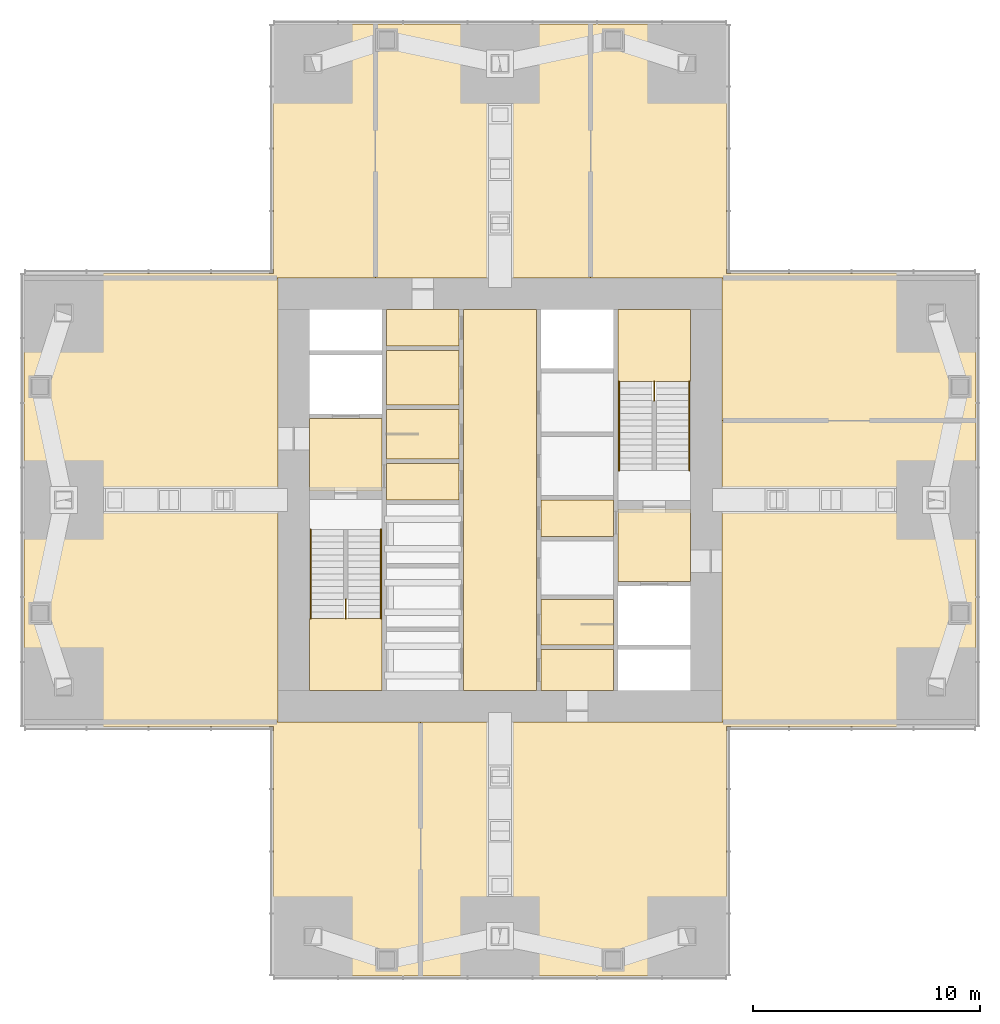
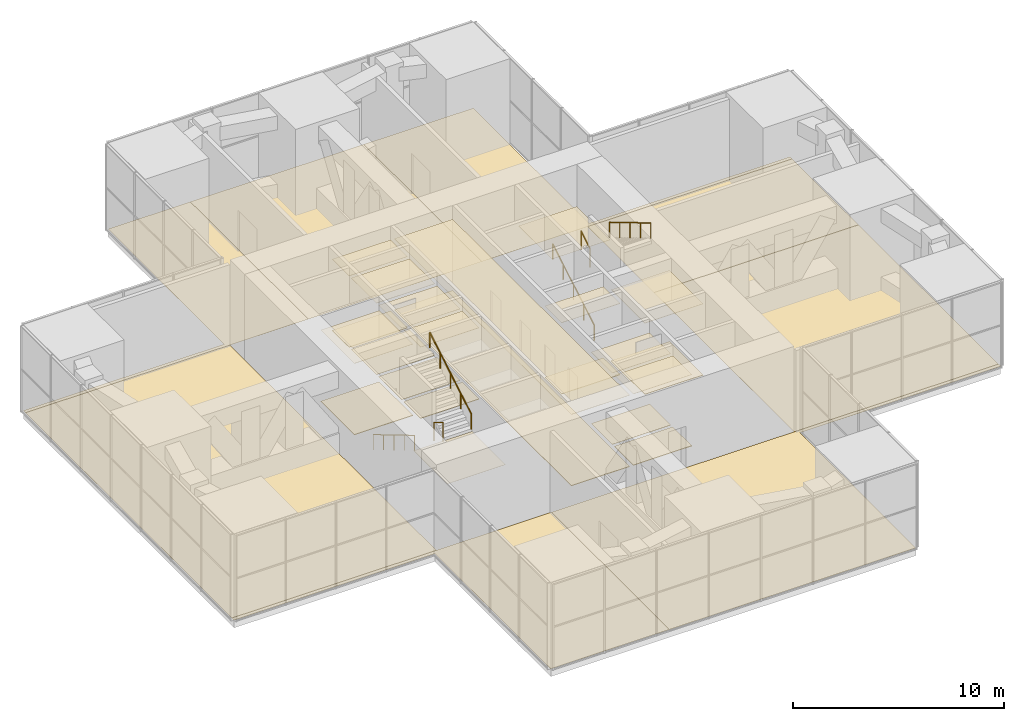
# One storey, part 12 of 12: 30 coverings, 6 railings.
"""IFC4 building model written with IfcOpenShell, lengths in metres."""

from ifc_helpers import new_model, si_unit, direction, frame, origin, origin_2d, place, context, subcontext, project, spatial, polyline, circle, outline, extrude, material, layer, layer_set, type_object, element, save


model = new_model("IFC4")

# Units and contexts
model_context = context("Model", 3, precision=1e-05, world=origin(), true_north=direction((0.0, 1.0)))
body_context = subcontext(model_context, "Body", "Model", "MODEL_VIEW")
ifc_project = project(units=[si_unit("LENGTHUNIT", "METRE"), si_unit("AREAUNIT", "SQUARE_METRE"), si_unit("VOLUMEUNIT", "CUBIC_METRE"), si_unit("PLANEANGLEUNIT", "RADIAN"), si_unit("MASSUNIT", "GRAM", prefix="KILO")], contexts=[model_context])

# Site, building, storey
site_placement = place(None, origin())
site = spatial("IfcSite", under=ifc_project, at=site_placement, CompositionType="ELEMENT")
building_placement = place(site_placement, origin())
building = spatial("IfcBuilding", under=site, at=building_placement, Name="Svetlomir Tower", CompositionType="ELEMENT")
storey_placement = place(building_placement, frame((0.0, 0.0, 234.5)))
storey = spatial("IfcBuildingStorey", under=building, at=storey_placement, Name="L56", CompositionType="ELEMENT", Elevation=234.5)

# Coverings
ifc_material_1 = material(Name="Ceramic floor tile", Category="ceramic")
ifc_layer_1 = layer(ifc_material_1, 0.014892578125)
ifc_layer_set_1 = layer_set([ifc_layer_1], Name="Ceramic floor tile")
covering_type_1 = type_object("IfcCoveringType", Name="CERAMIC TILE FLOOR 15", PredefinedType="FLOORING", material=ifc_layer_set_1)
covering_1_placement = place(storey_placement, origin())
element("IfcCovering", 1, at=covering_1_placement, inside=storey, type_object=covering_type_1, Name="Floor finish L56-04", PredefinedType="FLOORING", context=body_context, shape_type="SweptSolid", body=[
    extrude(outline(polyline([(16.0, 22.800048828125), (19.199951171875, 22.800048828125), (19.199951171875, 25.0), (16.0, 25.0), (16.0, 22.800048828125)])), origin(), (0.0, 0.0, 1.0), 0.014892578125),
])
covering_2_placement = place(storey_placement, origin())
element("IfcCovering", 2, at=covering_2_placement, inside=storey, type_object=covering_type_1, Name="Floor finish L56-05", PredefinedType="FLOORING", context=body_context, shape_type="SweptSolid", body=[
    extrude(outline(polyline([(16.0, 25.199951171875), (19.199951171875, 25.199951171875), (19.199951171875, 27.60009765625), (16.0, 27.60009765625), (16.0, 25.199951171875)])), origin(), (0.0, 0.0, 1.0), 0.014892578125),
])
covering_3_placement = place(storey_placement, origin())
element("IfcCovering", 3, at=covering_3_placement, inside=storey, type_object=covering_type_1, Name="Floor finish L56-09", PredefinedType="FLOORING", context=body_context, shape_type="SweptSolid", body=[
    extrude(outline(polyline([(22.800048828125, 14.60009765625), (26.0, 14.60009765625), (26.0, 16.60009765625), (22.800048828125, 16.60009765625), (22.800048828125, 14.60009765625)])), origin(), (0.0, 0.0, 1.0), 0.014892578125),
])
ifc_material_2 = material(Name="Epoxy resin floor coating", Category="resin")
ifc_layer_2 = layer(ifc_material_2, 0.0048828125)
ifc_layer_set_2 = layer_set([ifc_layer_2], Name="Epoxy resin floor coating")
covering_type_2 = type_object("IfcCoveringType", Name="EPOXY FLOOR 5", PredefinedType="FLOORING", material=ifc_layer_set_2)
covering_4_placement = place(storey_placement, origin())
element("IfcCovering", 4, at=covering_4_placement, inside=storey, type_object=covering_type_2, Name="Floor finish L56-16", PredefinedType="FLOORING", context=body_context, shape_type="SweptSolid", body=[
    extrude(outline(polyline([(11.0, 0.0), (11.0, 11.0), (0.0, 11.0), (0.0, 11.199951171875), (17.5, 11.199951171875), (17.5, 0.0), (11.0, 0.0)])), origin(), (0.0, 0.0, 1.0), 0.0048828125),
])
covering_5_placement = place(storey_placement, origin())
element("IfcCovering", 5, at=covering_5_placement, inside=storey, type_object=covering_type_2, Name="Floor finish L56-17", PredefinedType="FLOORING", context=body_context, shape_type="SweptSolid", body=[
    extrude(outline(polyline([(31.0, 0.0), (17.5, 0.0), (17.5, 11.199951171875), (42.0, 11.199951171875), (42.0, 11.0), (31.0, 11.0), (31.0, 0.0)])), origin(), (0.0, 0.0, 1.0), 0.0048828125),
])
covering_6_placement = place(storey_placement, origin())
element("IfcCovering", 6, at=covering_6_placement, inside=storey, type_object=covering_type_2, Name="Floor finish L56-18", PredefinedType="FLOORING", context=body_context, shape_type="SweptSolid", body=[
    extrude(outline(polyline([(11.0, 42.0), (15.5, 42.0), (15.5, 30.800048828125), (0.0, 30.800048828125), (0.0, 31.0), (11.0, 31.0), (11.0, 42.0)])), origin(), (0.0, 0.0, 1.0), 0.0048828125),
])
covering_7_placement = place(storey_placement, origin())
element("IfcCovering", 7, at=covering_7_placement, inside=storey, type_object=covering_type_2, Name="Floor finish L56-19", PredefinedType="FLOORING", context=body_context, shape_type="SweptSolid", body=[
    extrude(outline(polyline([(25.0, 42.0), (25.0, 30.800048828125), (15.5, 30.800048828125), (15.5, 42.0), (25.0, 42.0)])), origin(), (0.0, 0.0, 1.0), 0.0048828125),
])
covering_8_placement = place(storey_placement, origin())
element("IfcCovering", 8, at=covering_8_placement, inside=storey, type_object=covering_type_2, Name="Floor finish L56-20", PredefinedType="FLOORING", context=body_context, shape_type="SweptSolid", body=[
    extrude(outline(polyline([(31.0, 42.0), (31.0, 31.0), (42.0, 31.0), (42.0, 30.800048828125), (25.0, 30.800048828125), (25.0, 42.0), (31.0, 42.0)])), origin(), (0.0, 0.0, 1.0), 0.0048828125),
])
covering_9_placement = place(storey_placement, origin())
element("IfcCovering", 9, at=covering_9_placement, inside=storey, type_object=covering_type_2, Name="Floor finish L56-21", PredefinedType="FLOORING", context=body_context, shape_type="SweptSolid", body=[
    extrude(outline(polyline([(11.199951171875, 30.800048828125), (11.199951171875, 11.199951171875), (0.0, 11.199951171875), (0.0, 30.800048828125), (11.199951171875, 30.800048828125)])), origin(), (0.0, 0.0, 1.0), 0.0048828125),
])
covering_10_placement = place(storey_placement, origin())
element("IfcCovering", 10, at=covering_10_placement, inside=storey, type_object=covering_type_2, Name="Floor finish L56-22", PredefinedType="FLOORING", context=body_context, shape_type="SweptSolid", body=[
    extrude(outline(polyline([(30.800048828125, 24.5), (42.0, 24.5), (42.0, 11.199951171875), (30.800048828125, 11.199951171875), (30.800048828125, 24.5)])), origin(), (0.0, 0.0, 1.0), 0.0048828125),
])
covering_11_placement = place(storey_placement, origin())
element("IfcCovering", 11, at=covering_11_placement, inside=storey, type_object=covering_type_2, Name="Floor finish L56-23", PredefinedType="FLOORING", context=body_context, shape_type="SweptSolid", body=[
    extrude(outline(polyline([(30.800048828125, 30.800048828125), (42.0, 30.800048828125), (42.0, 24.5), (30.800048828125, 24.5), (30.800048828125, 30.800048828125)])), origin(), (0.0, 0.0, 1.0), 0.0048828125),
])

# Railings
ifc_material_3 = material(Name="Stainless steel", Category="steel")
railing_type_1 = type_object("IfcRailingType", Name="HANDRAIL HR1 900", PredefinedType="HANDRAIL", material=ifc_material_3)
railing_1_placement = place(storey_placement, frame((12.64990234375, 19.699951171875, 0.166748046875)))
element("IfcRailing", 12, at=railing_1_placement, inside=storey, type_object=railing_type_1, Name="Handrail S1 flight 1 L56", PredefinedType="HANDRAIL", context=body_context, shape_type="SweptSolid", body=[
    extrude(circle(Radius=0.02392578125, at=origin_2d()), frame((0.0, 0.0, 0.8759765625), z_axis=(0.0, -0.859296244711, 0.511478214419), x_axis=(1.0, 0.0, 0.0)), (0.0, 0.0, 1.0), 4.561767578125),
    extrude(circle(Radius=0.02099609375, at=origin_2d()), origin(), (0.0, 0.0, 1.0), 0.851806640625),
    extrude(circle(Radius=0.02099609375, at=origin_2d()), frame((0.0, -0.97998046875, 0.583251953125)), (0.0, 0.0, 1.0), 0.851806640625),
    extrude(circle(Radius=0.02099609375, at=origin_2d()), frame((0.0, -1.9599609375, 1.16650390625)), (0.0, 0.0, 1.0), 0.851806640625),
    extrude(circle(Radius=0.02099609375, at=origin_2d()), frame((0.0, -2.93994140625, 1.75)), (0.0, 0.0, 1.0), 0.851806640625),
    extrude(circle(Radius=0.02099609375, at=origin_2d()), frame((0.0, -3.919921875, 2.333251953125)), (0.0, 0.0, 1.0), 0.851806640625),
])
for number, where, name in (
    (13, (15.75, 15.780029296875, 2.666748046875), "Handrail S1 flight 2 L56"),
    (14, (26.25, 22.300048828125, 0.166748046875), "Handrail S2 flight 1 L56"),
):
    element("IfcRailing", number, at=place(storey_placement, frame(where)), inside=storey, type_object=railing_type_1, Name=name, PredefinedType="HANDRAIL", context=body_context, shape_type="SweptSolid", body=[
        extrude(circle(Radius=0.02392578125, at=origin_2d()), frame((0.0, 0.0, 0.8759765625), z_axis=(0.0, 0.859296244711, 0.511478214419), x_axis=(-1.0, 0.0, 0.0)), (0.0, 0.0, 1.0), 4.561767578125),
        extrude(circle(Radius=0.02099609375, at=origin_2d()), origin(), (0.0, 0.0, 1.0), 0.851806640625),
        extrude(circle(Radius=0.02099609375, at=origin_2d()), frame((0.0, 0.97998046875, 0.583251953125)), (0.0, 0.0, 1.0), 0.851806640625),
        extrude(circle(Radius=0.02099609375, at=origin_2d()), frame((0.0, 1.9599609375, 1.16650390625)), (0.0, 0.0, 1.0), 0.851806640625),
        extrude(circle(Radius=0.02099609375, at=origin_2d()), frame((0.0, 2.93994140625, 1.75)), (0.0, 0.0, 1.0), 0.851806640625),
        extrude(circle(Radius=0.02099609375, at=origin_2d()), frame((0.0, 3.919921875, 2.333251953125)), (0.0, 0.0, 1.0), 0.851806640625),
    ])
railing_2_placement = place(storey_placement, frame((29.35009765625, 26.219970703125, 2.666748046875)))
element("IfcRailing", 15, at=railing_2_placement, inside=storey, type_object=railing_type_1, Name="Handrail S2 flight 2 L56", PredefinedType="HANDRAIL", context=body_context, shape_type="SweptSolid", body=[
    extrude(circle(Radius=0.02392578125, at=origin_2d()), frame((0.0, 0.0, 0.8759765625), z_axis=(0.0, -0.859296244711, 0.511478214419), x_axis=(1.0, 0.0, 0.0)), (0.0, 0.0, 1.0), 4.561767578125),
    extrude(circle(Radius=0.02099609375, at=origin_2d()), origin(), (0.0, 0.0, 1.0), 0.851806640625),
    extrude(circle(Radius=0.02099609375, at=origin_2d()), frame((0.0, -0.97998046875, 0.583251953125)), (0.0, 0.0, 1.0), 0.851806640625),
    extrude(circle(Radius=0.02099609375, at=origin_2d()), frame((0.0, -1.9599609375, 1.16650390625)), (0.0, 0.0, 1.0), 0.851806640625),
    extrude(circle(Radius=0.02099609375, at=origin_2d()), frame((0.0, -2.93994140625, 1.75)), (0.0, 0.0, 1.0), 0.851806640625),
    extrude(circle(Radius=0.02099609375, at=origin_2d()), frame((0.0, -3.919921875, 2.333251953125)), (0.0, 0.0, 1.0), 0.851806640625),
])

# Coverings
ifc_material_4 = material(Name="Moisture resistant plasterboard ceiling", Category="gypsum")
ifc_layer_3 = layer(ifc_material_4, 0.012451171875)
ifc_layer_set_3 = layer_set([ifc_layer_3], Name="Moisture resistant plasterboard ceiling")
covering_type_3 = type_object("IfcCoveringType", Name="MOISTURE RESISTANT CEILING 12.5", PredefinedType="CEILING", material=ifc_layer_set_3)
covering_12_placement = place(storey_placement, frame((0.0, 0.0, 4.137451171875)))
element("IfcCovering", 16, at=covering_12_placement, inside=storey, type_object=covering_type_3, Name="Ceiling L56-04", PredefinedType="CEILING", context=body_context, shape_type="SweptSolid", body=[
    extrude(outline(polyline([(16.0, 22.800048828125), (19.199951171875, 22.800048828125), (19.199951171875, 25.0), (16.0, 25.0), (16.0, 22.800048828125)])), origin(), (0.0, 0.0, 1.0), 0.012451171875),
])
covering_13_placement = place(storey_placement, frame((0.0, 0.0, 4.137451171875)))
element("IfcCovering", 17, at=covering_13_placement, inside=storey, type_object=covering_type_3, Name="Ceiling L56-05", PredefinedType="CEILING", context=body_context, shape_type="SweptSolid", body=[
    extrude(outline(polyline([(16.0, 25.199951171875), (19.199951171875, 25.199951171875), (19.199951171875, 27.60009765625), (16.0, 27.60009765625), (16.0, 25.199951171875)])), origin(), (0.0, 0.0, 1.0), 0.012451171875),
])
covering_14_placement = place(storey_placement, frame((0.0, 0.0, 4.137451171875)))
element("IfcCovering", 18, at=covering_14_placement, inside=storey, type_object=covering_type_3, Name="Ceiling L56-09", PredefinedType="CEILING", context=body_context, shape_type="SweptSolid", body=[
    extrude(outline(polyline([(22.800048828125, 14.60009765625), (26.0, 14.60009765625), (26.0, 16.60009765625), (22.800048828125, 16.60009765625), (22.800048828125, 14.60009765625)])), origin(), (0.0, 0.0, 1.0), 0.012451171875),
])
ifc_material_5 = material(Name="Gypsum plasterboard ceiling", Category="gypsum")
ifc_layer_4 = layer(ifc_material_5, 0.014892578125)
ifc_layer_set_4 = layer_set([ifc_layer_4], Name="Gypsum plasterboard ceiling")
covering_type_4 = type_object("IfcCoveringType", Name="PLASTERBOARD CEILING 15", PredefinedType="CEILING", material=ifc_layer_set_4)
covering_15_placement = place(storey_placement, frame((0.0, 0.0, 4.135009765625)))
element("IfcCovering", 19, at=covering_15_placement, inside=storey, type_object=covering_type_4, Name="Ceiling L56-02", PredefinedType="CEILING", context=body_context, shape_type="SweptSolid", body=[
    extrude(outline(polyline([(12.60009765625, 21.39990234375), (15.800048828125, 21.39990234375), (15.800048828125, 24.60009765625), (12.60009765625, 24.60009765625), (12.60009765625, 21.39990234375)])), origin(), (0.0, 0.0, 1.0), 0.014892578125),
])
covering_16_placement = place(storey_placement, frame((0.0, 0.0, 4.135009765625)))
element("IfcCovering", 20, at=covering_16_placement, inside=storey, type_object=covering_type_4, Name="Ceiling L56-03", PredefinedType="CEILING", context=body_context, shape_type="SweptSolid", body=[
    extrude(outline(polyline([(16.0, 21.0), (19.199951171875, 21.0), (19.199951171875, 22.60009765625), (16.0, 22.60009765625), (16.0, 21.0)])), origin(), (0.0, 0.0, 1.0), 0.014892578125),
])
covering_17_placement = place(storey_placement, frame((0.0, 0.0, 4.135009765625)))
element("IfcCovering", 21, at=covering_17_placement, inside=storey, type_object=covering_type_4, Name="Ceiling L56-06", PredefinedType="CEILING", context=body_context, shape_type="SweptSolid", body=[
    extrude(outline(polyline([(16.0, 27.800048828125), (19.199951171875, 27.800048828125), (19.199951171875, 29.39990234375), (16.0, 29.39990234375), (16.0, 27.800048828125)])), origin(), (0.0, 0.0, 1.0), 0.014892578125),
])
covering_18_placement = place(storey_placement, frame((0.0, 0.0, 4.135009765625)))
element("IfcCovering", 22, at=covering_18_placement, inside=storey, type_object=covering_type_4, Name="Ceiling L56-07", PredefinedType="CEILING", context=body_context, shape_type="SweptSolid", body=[
    extrude(outline(polyline([(19.39990234375, 12.60009765625), (22.60009765625, 12.60009765625), (22.60009765625, 29.39990234375), (19.39990234375, 29.39990234375), (19.39990234375, 12.60009765625)])), origin(), (0.0, 0.0, 1.0), 0.014892578125),
])
covering_19_placement = place(storey_placement, frame((0.0, 0.0, 4.135009765625)))
element("IfcCovering", 23, at=covering_19_placement, inside=storey, type_object=covering_type_4, Name="Ceiling L56-08", PredefinedType="CEILING", context=body_context, shape_type="SweptSolid", body=[
    extrude(outline(polyline([(22.800048828125, 12.60009765625), (26.0, 12.60009765625), (26.0, 14.39990234375), (22.800048828125, 14.39990234375), (22.800048828125, 12.60009765625)])), origin(), (0.0, 0.0, 1.0), 0.014892578125),
])
covering_20_placement = place(storey_placement, frame((0.0, 0.0, 4.135009765625)))
element("IfcCovering", 24, at=covering_20_placement, inside=storey, type_object=covering_type_4, Name="Ceiling L56-11", PredefinedType="CEILING", context=body_context, shape_type="SweptSolid", body=[
    extrude(outline(polyline([(22.800048828125, 19.39990234375), (26.0, 19.39990234375), (26.0, 21.0), (22.800048828125, 21.0), (22.800048828125, 19.39990234375)])), origin(), (0.0, 0.0, 1.0), 0.014892578125),
])
covering_21_placement = place(storey_placement, frame((0.0, 0.0, 4.135009765625)))
element("IfcCovering", 25, at=covering_21_placement, inside=storey, type_object=covering_type_4, Name="Ceiling L56-12", PredefinedType="CEILING", context=body_context, shape_type="SweptSolid", body=[
    extrude(outline(polyline([(26.199951171875, 17.39990234375), (29.39990234375, 17.39990234375), (29.39990234375, 20.60009765625), (26.199951171875, 20.60009765625), (26.199951171875, 17.39990234375)])), origin(), (0.0, 0.0, 1.0), 0.014892578125),
])
ifc_material_6 = material(Name="Studded rubber floor finish", Category="rubber")
ifc_layer_5 = layer(ifc_material_6, 0.006103515625)
ifc_layer_set_5 = layer_set([ifc_layer_5], Name="Studded rubber floor finish")
covering_type_5 = type_object("IfcCoveringType", Name="RUBBER LANDING FINISH 6", PredefinedType="FLOORING", material=ifc_layer_set_5)
covering_22_placement = place(storey_placement, frame((0.0, 0.0, 2.5)))
element("IfcCovering", 26, at=covering_22_placement, inside=storey, type_object=covering_type_5, Name="Stair S1 landing finish L56", PredefinedType="FLOORING", context=body_context, shape_type="SweptSolid", body=[
    extrude(outline(polyline([(12.60009765625, 12.60009765625), (15.800048828125, 12.60009765625), (15.800048828125, 15.780029296875), (12.60009765625, 15.780029296875), (12.60009765625, 12.60009765625)])), origin(), (0.0, 0.0, 1.0), 0.006103515625),
])
covering_23_placement = place(storey_placement, frame((0.0, 0.0, 2.5)))
element("IfcCovering", 27, at=covering_23_placement, inside=storey, type_object=covering_type_5, Name="Stair S2 landing finish L56", PredefinedType="FLOORING", context=body_context, shape_type="SweptSolid", body=[
    extrude(outline(polyline([(26.199951171875, 26.219970703125), (29.39990234375, 26.219970703125), (29.39990234375, 29.39990234375), (26.199951171875, 29.39990234375), (26.199951171875, 26.219970703125)])), origin(), (0.0, 0.0, 1.0), 0.006103515625),
])

# Railings
ifc_material_7 = material(Name="Painted steel balustrade", Category="steel")
railing_type_2 = type_object("IfcRailingType", Name="STAIR WELL GUARD GR3 1100", PredefinedType="GUARDRAIL", material=ifc_material_7)
railing_3_placement = place(storey_placement, frame((14.199951171875, 15.780029296875, 2.5)))
element("IfcRailing", 28, at=railing_3_placement, inside=storey, type_object=railing_type_2, Name="Stair S1 well guard L56", PredefinedType="GUARDRAIL", context=body_context, shape_type="SweptSolid", body=[
    extrude(circle(Radius=0.02392578125, at=origin_2d()), frame((0.0, 0.0, 1.076171875), z_axis=(0.0, 0.859316403365, -0.511444345856), x_axis=(-1.0, 0.0, 0.0)), (0.0, 0.0, 1.0), 0.9775390625),
    extrude(circle(Radius=0.02099609375, at=origin_2d()), origin(), (0.0, 0.0, 1.0), 1.052001953125),
    extrude(circle(Radius=0.02099609375, at=origin_2d()), frame((0.0, 0.840087890625, -0.5)), (0.0, 0.0, 1.0), 1.052001953125),
])
railing_4_placement = place(storey_placement, frame((27.800048828125, 25.3798828125, 2.0)))
element("IfcRailing", 29, at=railing_4_placement, inside=storey, type_object=railing_type_2, Name="Stair S2 well guard L56", PredefinedType="GUARDRAIL", context=body_context, shape_type="SweptSolid", body=[
    extrude(circle(Radius=0.02392578125, at=origin_2d()), frame((0.0, 0.0, 1.076171875), z_axis=(0.0, 0.859316403365, 0.511444345856), x_axis=(-1.0, 0.0, 0.0)), (0.0, 0.0, 1.0), 0.9775390625),
    extrude(circle(Radius=0.02099609375, at=origin_2d()), origin(), (0.0, 0.0, 1.0), 1.052001953125),
    extrude(circle(Radius=0.02099609375, at=origin_2d()), frame((0.0, 0.840087890625, 0.5)), (0.0, 0.0, 1.0), 1.052001953125),
])

# Coverings
ifc_material_8 = material(Name="Bronze-aggregate terrazzo", Category="stone")
ifc_layer_6 = layer(ifc_material_8, 0.030029296875)
ifc_layer_set_6 = layer_set([ifc_layer_6], Name="Bronze-aggregate terrazzo")
covering_type_6 = type_object("IfcCoveringType", Name="TERRAZZO FLOOR 30", PredefinedType="FLOORING", material=ifc_layer_set_6)
covering_24_placement = place(storey_placement, origin())
element("IfcCovering", 30, at=covering_24_placement, inside=storey, type_object=covering_type_6, Name="Floor finish L56-02", PredefinedType="FLOORING", context=body_context, shape_type="SweptSolid", body=[
    extrude(outline(polyline([(12.60009765625, 21.39990234375), (15.800048828125, 21.39990234375), (15.800048828125, 24.60009765625), (12.60009765625, 24.60009765625), (12.60009765625, 21.39990234375)])), origin(), (0.0, 0.0, 1.0), 0.030029296875),
])
covering_25_placement = place(storey_placement, origin())
element("IfcCovering", 31, at=covering_25_placement, inside=storey, type_object=covering_type_6, Name="Floor finish L56-03", PredefinedType="FLOORING", context=body_context, shape_type="SweptSolid", body=[
    extrude(outline(polyline([(16.0, 21.0), (19.199951171875, 21.0), (19.199951171875, 22.60009765625), (16.0, 22.60009765625), (16.0, 21.0)])), origin(), (0.0, 0.0, 1.0), 0.030029296875),
])
covering_26_placement = place(storey_placement, origin())
element("IfcCovering", 32, at=covering_26_placement, inside=storey, type_object=covering_type_6, Name="Floor finish L56-06", PredefinedType="FLOORING", context=body_context, shape_type="SweptSolid", body=[
    extrude(outline(polyline([(16.0, 27.800048828125), (19.199951171875, 27.800048828125), (19.199951171875, 29.39990234375), (16.0, 29.39990234375), (16.0, 27.800048828125)])), origin(), (0.0, 0.0, 1.0), 0.030029296875),
])
covering_27_placement = place(storey_placement, origin())
element("IfcCovering", 33, at=covering_27_placement, inside=storey, type_object=covering_type_6, Name="Floor finish L56-07", PredefinedType="FLOORING", context=body_context, shape_type="SweptSolid", body=[
    extrude(outline(polyline([(19.39990234375, 12.60009765625), (22.60009765625, 12.60009765625), (22.60009765625, 29.39990234375), (19.39990234375, 29.39990234375), (19.39990234375, 12.60009765625)])), origin(), (0.0, 0.0, 1.0), 0.030029296875),
])
covering_28_placement = place(storey_placement, origin())
element("IfcCovering", 34, at=covering_28_placement, inside=storey, type_object=covering_type_6, Name="Floor finish L56-08", PredefinedType="FLOORING", context=body_context, shape_type="SweptSolid", body=[
    extrude(outline(polyline([(22.800048828125, 12.60009765625), (26.0, 12.60009765625), (26.0, 14.39990234375), (22.800048828125, 14.39990234375), (22.800048828125, 12.60009765625)])), origin(), (0.0, 0.0, 1.0), 0.030029296875),
])
covering_29_placement = place(storey_placement, origin())
element("IfcCovering", 35, at=covering_29_placement, inside=storey, type_object=covering_type_6, Name="Floor finish L56-11", PredefinedType="FLOORING", context=body_context, shape_type="SweptSolid", body=[
    extrude(outline(polyline([(22.800048828125, 19.39990234375), (26.0, 19.39990234375), (26.0, 21.0), (22.800048828125, 21.0), (22.800048828125, 19.39990234375)])), origin(), (0.0, 0.0, 1.0), 0.030029296875),
])
covering_30_placement = place(storey_placement, origin())
element("IfcCovering", 36, at=covering_30_placement, inside=storey, type_object=covering_type_6, Name="Floor finish L56-12", PredefinedType="FLOORING", context=body_context, shape_type="SweptSolid", body=[
    extrude(outline(polyline([(26.199951171875, 17.39990234375), (29.39990234375, 17.39990234375), (29.39990234375, 20.60009765625), (26.199951171875, 20.60009765625), (26.199951171875, 17.39990234375)])), origin(), (0.0, 0.0, 1.0), 0.030029296875),
])

save(model, "model.ifc")
